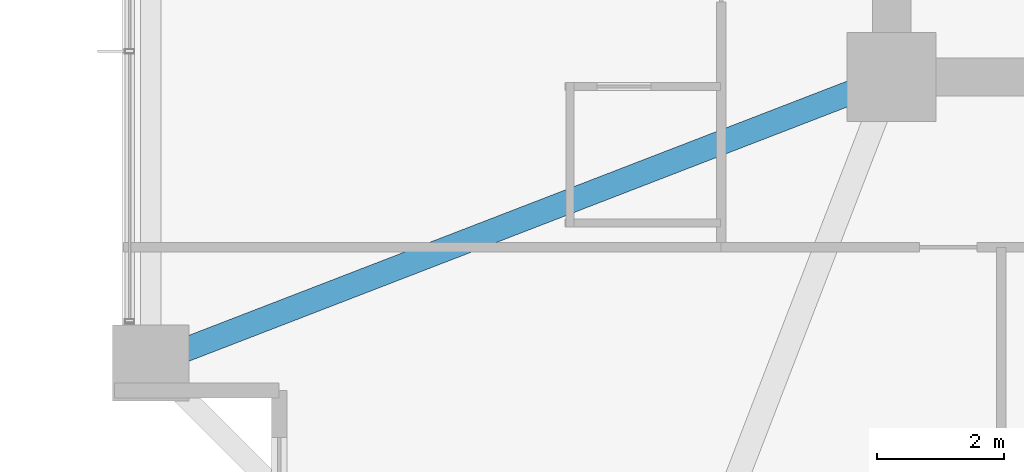
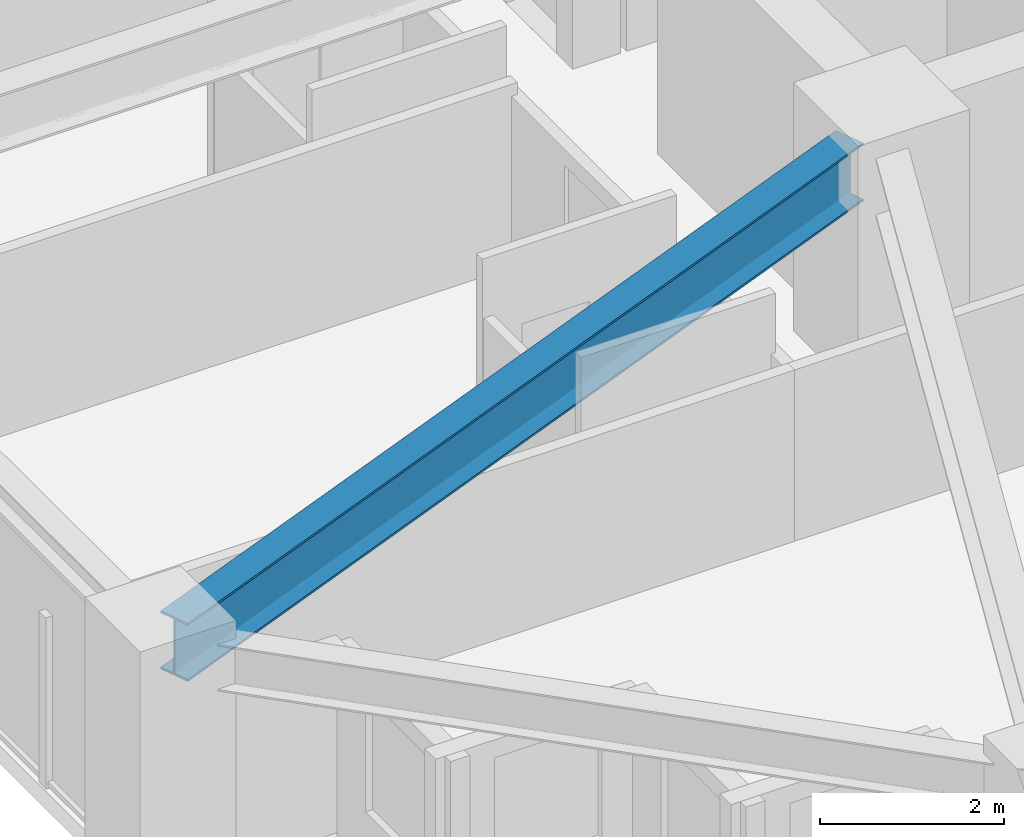
# One storey, part 4 of 36: 1 beam.
"""IFC4 building model written with IfcOpenShell, lengths in metres."""

from ifc_helpers import new_model, si_unit, direction, frame, origin, origin_2d, place, context, subcontext, project, spatial, i_section, extrude, material, material_profile, profile_set, type_object, element, save


model = new_model("IFC4")

# Units and contexts
model_context = context("Model", 3, precision=1e-05, world=origin(), true_north=direction((0.0, 1.0)))
body_context = subcontext(model_context, "Body", "Model", "MODEL_VIEW")
ifc_project = project(units=[si_unit("LENGTHUNIT", "METRE"), si_unit("AREAUNIT", "SQUARE_METRE"), si_unit("VOLUMEUNIT", "CUBIC_METRE"), si_unit("PLANEANGLEUNIT", "RADIAN"), si_unit("MASSUNIT", "GRAM", prefix="KILO")], contexts=[model_context])

# Site, building, storey
site_placement = place(None, origin())
site = spatial("IfcSite", under=ifc_project, at=site_placement, CompositionType="ELEMENT")
building_placement = place(site_placement, origin())
building = spatial("IfcBuilding", under=site, at=building_placement, Name="Kolvaren Belvedere", CompositionType="ELEMENT")
storey_placement = place(building_placement, frame((0.0, 0.0, 46.89990234375)))
storey = spatial("IfcBuildingStorey", under=building, at=storey_placement, Name="L13", CompositionType="ELEMENT", Elevation=46.89990234375)

# Beam
ifc_material = material(Name="Structural steel ASTM A992 Grade 50", Category="steel")
ifc_material_profile = material_profile(ifc_material, i_section(OverallWidth=0.381103515625, OverallDepth=0.77294921875, WebThickness=0.0166015625, FlangeThickness=0.027099609375, FilletRadius=0.02392578125, at=origin_2d()), Name="W30X173")
ifc_profile_set = profile_set([ifc_material_profile], Name="Structural steel ASTM A992 Grade 50")
beam_type = type_object("IfcBeamType", Name="BM-GIRD-W30X173", PredefinedType="BEAM", material=ifc_profile_set)
beam_placement = place(storey_placement, frame((-10.4130859375, -10.09814453125, 2.673583984375), z_axis=(-0.932829382313, -0.360318391835, 0.0), x_axis=(0.360318391835, -0.932829382313, 0.0)))
element("IfcBeam", 1, at=beam_placement, inside=storey, type_object=beam_type, Name="L13 Corner Core-to-Perimeter Girder CC1-W1", PredefinedType="BEAM", context=body_context, shape_type="SweptSolid", body=[
    extrude(i_section(OverallWidth=0.381103515625, OverallDepth=0.77294921875, WebThickness=0.0166015625, FlangeThickness=0.027099609375, FilletRadius=0.02392578125, at=origin_2d()), origin(), (0.0, 0.0, 1.0), 11.698974609375),
])

save(model, "model.ifc")
